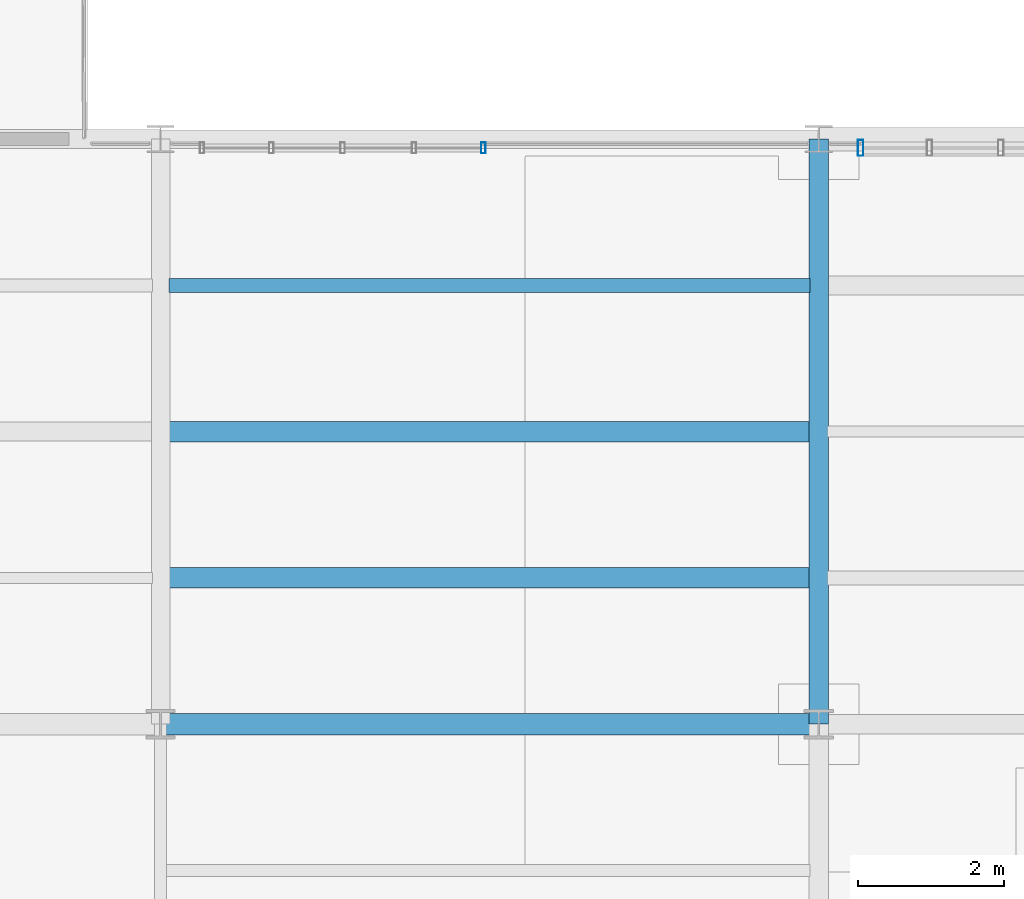
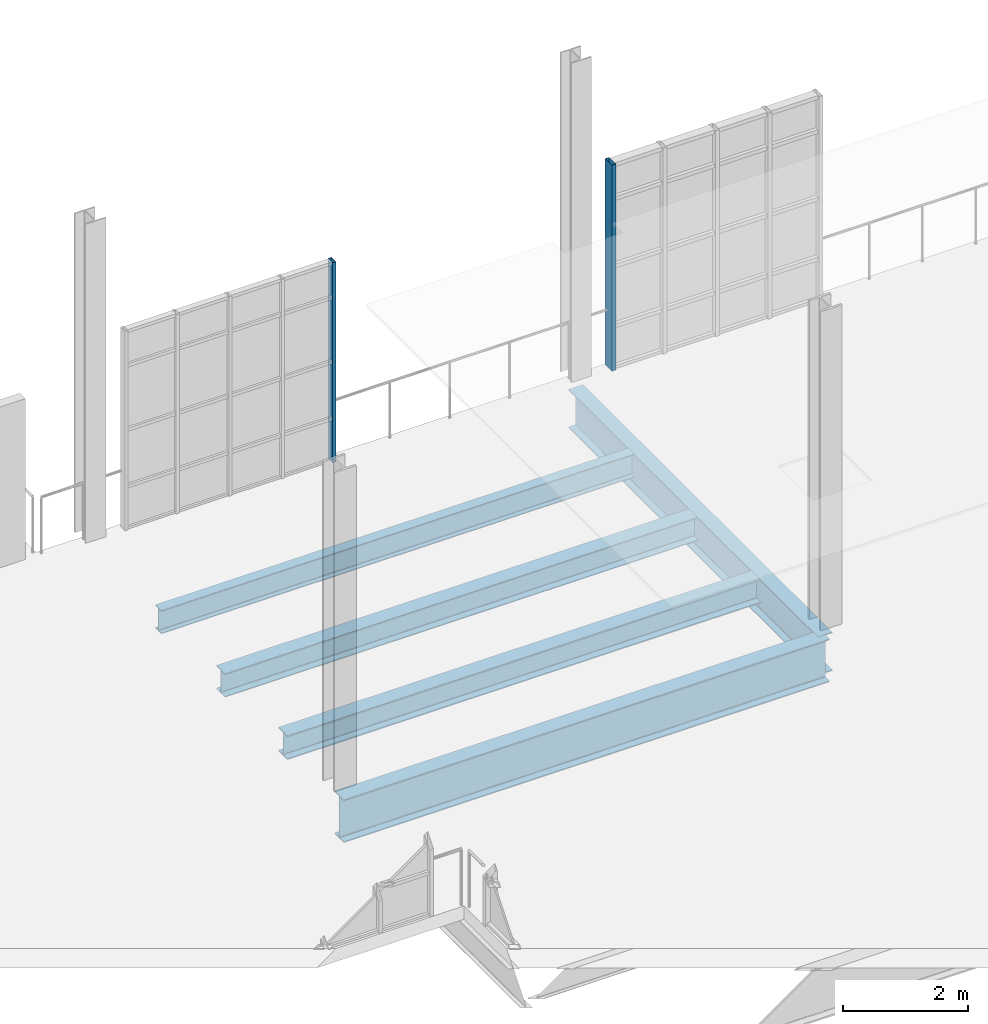
# One storey, part 55 of 118: 5 beams, 2 members, 2 elements without a shape of their own.
"""IFC4 building model written with IfcOpenShell, lengths in metres."""

from ifc_helpers import new_model, si_unit, direction, frame, origin, origin_2d, place, context, subcontext, project, spatial, hollow_rectangle, i_section, extrude, material, layer, layer_set, material_profile, profile_set, type_object, element, aggregate, save


model = new_model("IFC4")

# Units and contexts
model_context = context("Model", 3, precision=1e-05, world=origin(), true_north=direction((0.0, 1.0)))
body_context = subcontext(model_context, "Body", "Model", "MODEL_VIEW")
ifc_project = project(units=[si_unit("LENGTHUNIT", "METRE"), si_unit("AREAUNIT", "SQUARE_METRE"), si_unit("VOLUMEUNIT", "CUBIC_METRE"), si_unit("PLANEANGLEUNIT", "RADIAN"), si_unit("MASSUNIT", "GRAM", prefix="KILO"), si_unit("THERMODYNAMICTEMPERATUREUNIT", "KELVIN"), si_unit("POWERUNIT", "WATT")], contexts=[model_context])

# Site, building, storey
site_placement = place(None, origin())
site = spatial("IfcSite", under=ifc_project, at=site_placement, CompositionType="ELEMENT")
building_placement = place(site_placement, origin())
building = spatial("IfcBuilding", under=site, at=building_placement, Name="Zelmaris Science Centre", CompositionType="ELEMENT")
storey_placement = place(building_placement, frame((0.0, 0.0, 15.60009765625)))
storey = spatial("IfcBuildingStorey", under=building, at=storey_placement, Name="L03", CompositionType="ELEMENT", Elevation=15.60009765625)

# Curtain wall, member
ifc_material_1 = material(Name="Anodised architectural aluminium 6063-T6", Category="aluminium")
ifc_layer_1 = layer(ifc_material_1, 0.219970703125, Name="Anodised architectural aluminium 6063-T6")
ifc_layer_set_1 = layer_set([ifc_layer_1], Name="Anodised architectural aluminium 6063-T6")
curtain_wall_type_1 = type_object("IfcCurtainWallType", Name="Curtain Wall CW-04", PredefinedType="USERDEFINED", material=ifc_layer_set_1)
curtain_wall_1_placement = place(storey_placement, origin())
curtain_wall_1 = element("IfcCurtainWall", 1, at=curtain_wall_1_placement, inside=storey, type_object=curtain_wall_type_1, Name="L03 Unitised curtain wall 292", ObjectType="GLAZED CURTAIN WALL", PredefinedType="USERDEFINED")
ifc_material_profile_1 = material_profile(ifc_material_1, hollow_rectangle(XDim=0.06005859375, YDim=0.14990234375, WallThickness=0.00341796875, at=origin_2d()), Name="ALU-MUL-60X150")
ifc_profile_set_1 = profile_set([ifc_material_profile_1], Name="Anodised architectural aluminium 6063-T6")
member_type_1 = type_object("IfcMemberType", Name="ALU-MUL-60X150", PredefinedType="MULLION", material=ifc_profile_set_1)
member_1_placement = place(storey_placement, frame((121.4140625, 55.8798828125, -0.01513671875), z_axis=(0.0, 0.0, 1.0), x_axis=(0.999999999994, -3.490659e-06, 0.0)))
member_1 = element("IfcMember", 2, at=member_1_placement, type_object=member_type_1, Name="CW-04 mullion 5", PredefinedType="MULLION", context=body_context, shape_type="SweptSolid", body=[
    extrude(hollow_rectangle(XDim=0.06005859375, YDim=0.14990234375, WallThickness=0.00341796875, at=origin_2d()), origin(), (0.0, 0.0, 1.0), 3.91796875),
])
aggregate(curtain_wall_1, [member_1])

ifc_layer_2 = layer(ifc_material_1, 0.199951171875, Name="Anodised architectural aluminium 6063-T6")
ifc_layer_set_2 = layer_set([ifc_layer_2], Name="Anodised architectural aluminium 6063-T6")
curtain_wall_type_2 = type_object("IfcCurtainWallType", Name="Curtain Wall CW-02", PredefinedType="USERDEFINED", material=ifc_layer_set_2)
curtain_wall_2_placement = place(storey_placement, origin())
curtain_wall_2 = element("IfcCurtainWall", 3, at=curtain_wall_2_placement, inside=storey, type_object=curtain_wall_type_2, Name="L03 Unitised curtain wall 294", ObjectType="GLAZED CURTAIN WALL", PredefinedType="USERDEFINED")
ifc_material_profile_2 = material_profile(ifc_material_1, hollow_rectangle(XDim=0.074951171875, YDim=0.219970703125, WallThickness=0.0048828125, at=origin_2d()), Name="ALU-MUL-75X220")
ifc_profile_set_2 = profile_set([ifc_material_profile_2], Name="Anodised architectural aluminium 6063-T6")
member_type_2 = type_object("IfcMemberType", Name="ALU-MUL-75X220", PredefinedType="MULLION", material=ifc_profile_set_2)
member_2_placement = place(storey_placement, frame((126.573486328125, 55.8798828125, -0.01513671875), z_axis=(0.0, 0.0, 1.0), x_axis=(0.999999999994, -3.490659e-06, 0.0)))
member_2 = element("IfcMember", 4, at=member_2_placement, type_object=member_type_2, Name="CW-02 mullion 1", PredefinedType="MULLION", context=body_context, shape_type="SweptSolid", body=[
    extrude(hollow_rectangle(XDim=0.074951171875, YDim=0.219970703125, WallThickness=0.0048828125, at=origin_2d()), origin(), (0.0, 0.0, 1.0), 4.044921875),
])
aggregate(curtain_wall_2, [member_2])

# Beams
ifc_material_2 = material(Name="Steel ASTM A992 Grade 50", Category="steel")
ifc_material_profile_3 = material_profile(ifc_material_2, i_section(OverallWidth=0.2919921875, OverallDepth=0.841064453125, WebThickness=0.0146484375, FlangeThickness=0.021728515625, FilletRadius=0.02001953125, at=origin_2d()), Name="W33X130")
ifc_profile_set_3 = profile_set([ifc_material_profile_3], Name="Steel ASTM A992 Grade 50")
beam_type_1 = type_object("IfcBeamType", Name="Beam G-07 W33X130", PredefinedType="BEAM", material=ifc_profile_set_3)
beam_1_placement = place(storey_placement, frame((117.0, 48.0, -0.6806640625), z_axis=(1.0, 0.0, 0.0), x_axis=(0.0, 1.0, 0.0)))
element("IfcBeam", 5, at=beam_1_placement, inside=storey, type_object=beam_type_1, Name="L03 East-west girder 747", PredefinedType="BEAM", context=body_context, shape_type="SweptSolid", body=[
    extrude(i_section(OverallWidth=0.2919921875, OverallDepth=0.841064453125, WebThickness=0.0146484375, FlangeThickness=0.021728515625, FilletRadius=0.02001953125, at=origin_2d()), origin(), (0.0, 0.0, 1.0), 9.0),
])
ifc_material_profile_4 = material_profile(ifc_material_2, i_section(OverallWidth=0.26708984375, OverallDepth=0.757080078125, WebThickness=0.013916015625, FlangeThickness=0.019287109375, FilletRadius=0.01904296875, at=origin_2d()), Name="W30X108")
ifc_profile_set_4 = profile_set([ifc_material_profile_4], Name="Steel ASTM A992 Grade 50")
beam_type_2 = type_object("IfcBeamType", Name="Beam G-10 W30X108", PredefinedType="BEAM", material=ifc_profile_set_4)
beam_2_placement = place(storey_placement, frame((126.0, 48.0, -0.638671875), z_axis=(0.0, 1.0, 0.0), x_axis=(-1.0, 0.0, 0.0)))
element("IfcBeam", 6, at=beam_2_placement, inside=storey, type_object=beam_type_2, Name="L03 North-south girder 718", PredefinedType="BEAM", context=body_context, shape_type="SweptSolid", body=[
    extrude(i_section(OverallWidth=0.26708984375, OverallDepth=0.757080078125, WebThickness=0.013916015625, FlangeThickness=0.019287109375, FilletRadius=0.01904296875, at=origin_2d()), origin(), (0.0, 0.0, 1.0), 8.0),
])
ifc_material_profile_5 = material_profile(ifc_material_2, i_section(OverallWidth=0.281982421875, OverallDepth=0.471923828125, WebThickness=0.013671875, FlangeThickness=0.022216796875, FilletRadius=0.012939453125, at=origin_2d()), Name="W18X97")
ifc_profile_set_5 = profile_set([ifc_material_profile_5], Name="Steel ASTM A992 Grade 50")
beam_type_3 = type_object("IfcBeamType", Name="Beam J-02 W18X97", PredefinedType="JOIST", material=ifc_profile_set_5)
beam_3_placement = place(storey_placement, frame((117.112060546875, 50.0, -0.49609375), z_axis=(1.0, 0.0, 0.0), x_axis=(0.0, 1.0, 0.0)))
element("IfcBeam", 7, at=beam_3_placement, inside=storey, type_object=beam_type_3, Name="L03 Composite floor joist 361", PredefinedType="JOIST", context=body_context, shape_type="SweptSolid", body=[
    extrude(i_section(OverallWidth=0.281982421875, OverallDepth=0.471923828125, WebThickness=0.013671875, FlangeThickness=0.022216796875, FilletRadius=0.012939453125, at=origin_2d()), origin(), (0.0, 0.0, 1.0), 8.76953125),
])
ifc_material_profile_6 = material_profile(ifc_material_2, i_section(OverallWidth=0.279052734375, OverallDepth=0.4619140625, WebThickness=0.0107421875, FlangeThickness=0.017333984375, FilletRadius=0.012939453125, at=origin_2d()), Name="W18X76")
ifc_profile_set_6 = profile_set([ifc_material_profile_6], Name="Steel ASTM A992 Grade 50")
beam_type_4 = type_object("IfcBeamType", Name="Beam J-03 W18X76", PredefinedType="JOIST", material=ifc_profile_set_6)
beam_4_placement = place(storey_placement, frame((117.112060546875, 52.0, -0.4912109375), z_axis=(1.0, 0.0, 0.0), x_axis=(0.0, 1.0, 0.0)))
element("IfcBeam", 8, at=beam_4_placement, inside=storey, type_object=beam_type_4, Name="L03 Composite floor joist 362", PredefinedType="JOIST", context=body_context, shape_type="SweptSolid", body=[
    extrude(i_section(OverallWidth=0.279052734375, OverallDepth=0.4619140625, WebThickness=0.0107421875, FlangeThickness=0.017333984375, FilletRadius=0.012939453125, at=origin_2d()), origin(), (0.0, 0.0, 1.0), 8.76953125),
])
ifc_material_profile_7 = material_profile(ifc_material_2, i_section(OverallWidth=0.19091796875, OverallDepth=0.4599609375, WebThickness=0.010009765625, FlangeThickness=0.01611328125, FilletRadius=0.012939453125, at=origin_2d()), Name="W18X55")
ifc_profile_set_7 = profile_set([ifc_material_profile_7], Name="Steel ASTM A992 Grade 50")
beam_type_5 = type_object("IfcBeamType", Name="Beam J-04 W18X55", PredefinedType="JOIST", material=ifc_profile_set_7)
beam_5_placement = place(storey_placement, frame((117.112060546875, 54.0, -0.489990234375), z_axis=(1.0, 0.0, 0.0), x_axis=(0.0, 1.0, 0.0)))
element("IfcBeam", 9, at=beam_5_placement, inside=storey, type_object=beam_type_5, Name="L03 Composite floor joist 363", PredefinedType="JOIST", context=body_context, shape_type="SweptSolid", body=[
    extrude(i_section(OverallWidth=0.19091796875, OverallDepth=0.4599609375, WebThickness=0.010009765625, FlangeThickness=0.01611328125, FilletRadius=0.012939453125, at=origin_2d()), origin(), (0.0, 0.0, 1.0), 8.76953125),
])

save(model, "model.ifc")
